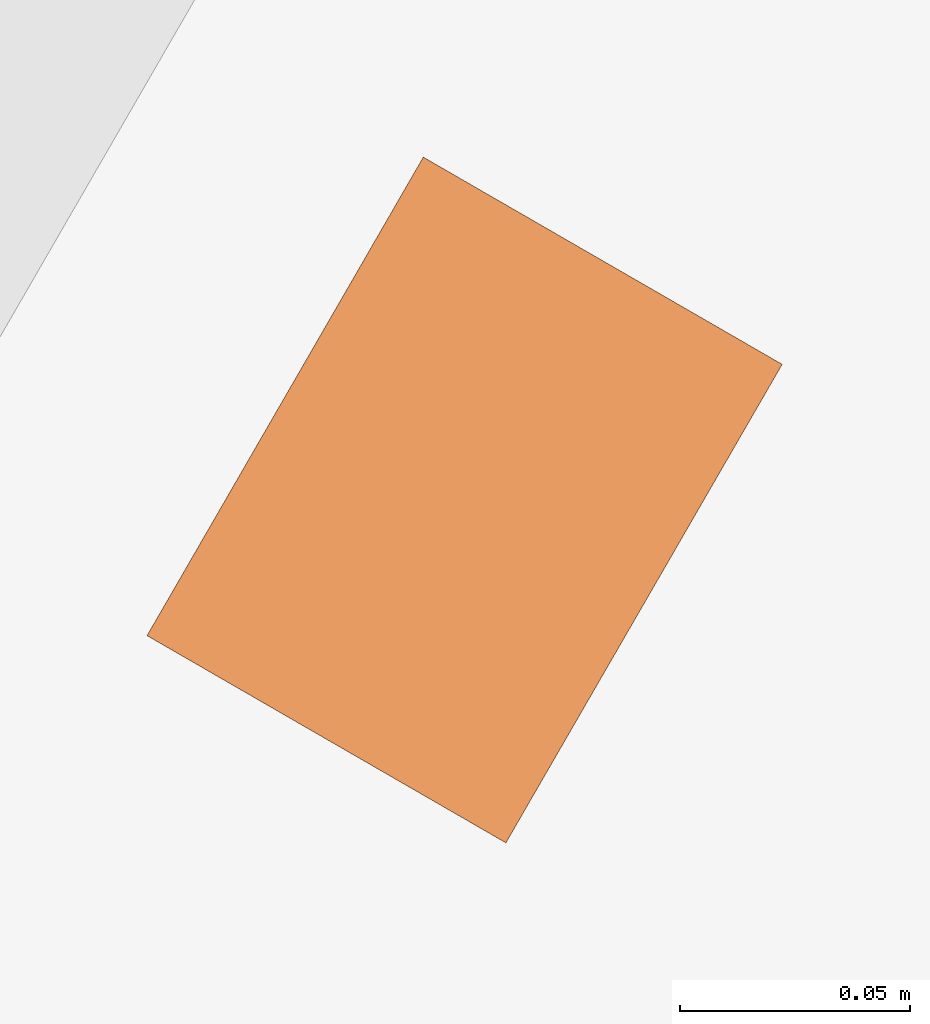
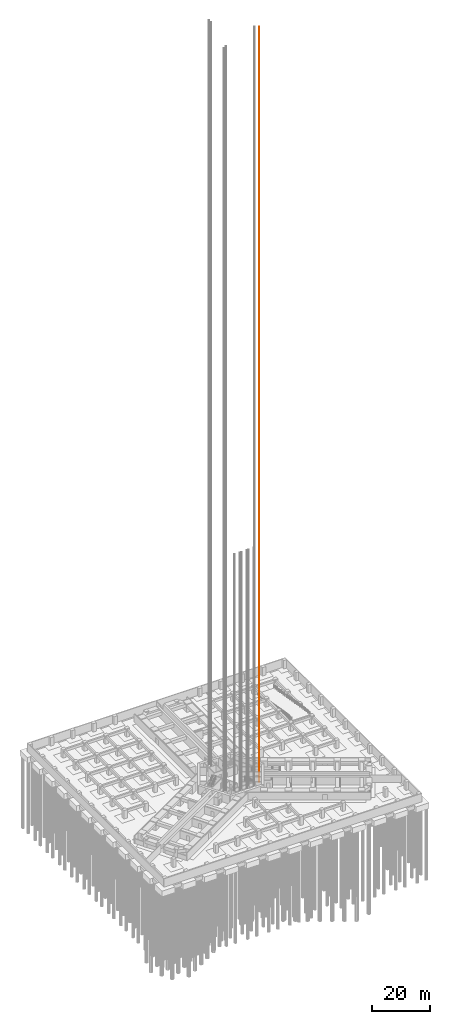
# One storey, part 70 of 73: 1 proxy.
"""IFC4 building model written with IfcOpenShell, lengths in metres."""

from ifc_helpers import new_model, si_unit, direction, frame, origin, origin_2d, place, context, subcontext, project, spatial, rectangle, extrude, material, type_object, element, save


model = new_model("IFC4")

# Units and contexts
model_context = context("Model", 3, precision=1e-05, world=origin(), true_north=direction((0.0, 1.0)))
body_context = subcontext(model_context, "Body", "Model", "MODEL_VIEW")
ifc_project = project(units=[si_unit("LENGTHUNIT", "METRE"), si_unit("AREAUNIT", "SQUARE_METRE"), si_unit("VOLUMEUNIT", "CUBIC_METRE"), si_unit("PLANEANGLEUNIT", "RADIAN"), si_unit("MASSUNIT", "GRAM", prefix="KILO")], contexts=[model_context])

# Site, building, storey
site_placement = place(None, origin())
site = spatial("IfcSite", under=ifc_project, at=site_placement, CompositionType="ELEMENT")
building_placement = place(site_placement, origin())
building = spatial("IfcBuilding", under=site, at=building_placement, Name="Impinga Residences", CompositionType="ELEMENT")
storey_placement = place(building_placement, frame((0.0, 0.0, -10.5)))
storey = spatial("IfcBuildingStorey", under=building, at=storey_placement, Name="B3", CompositionType="ELEMENT", Elevation=-10.5)

# Proxy
ifc_material = material(Name="Steel lift guide rail, galvanised", Category="steel")
building_element_proxy_type = type_object("IfcBuildingElementProxyType", Name="LGR lift guide rail", PredefinedType="USERDEFINED", material=ifc_material)
proxy_placement = place(storey_placement, frame((9.992431640625, -2.36279296875, -1.60009765625), z_axis=(0.0, 0.0, 1.0), x_axis=(0.866025403784, -0.5, 0.0)))
element("IfcBuildingElementProxy", 1, at=proxy_placement, inside=storey, type_object=building_element_proxy_type, Name="Guide rail F3 2", ObjectType="Lift guide rail", PredefinedType="USERDEFINED", context=body_context, shape_type="SweptSolid", body=[
    extrude(rectangle(XDim=0.090087890625, YDim=0.1201171875, at=origin_2d()), origin(), (0.0, 0.0, 1.0), 316.25),
])

save(model, "model.ifc")
